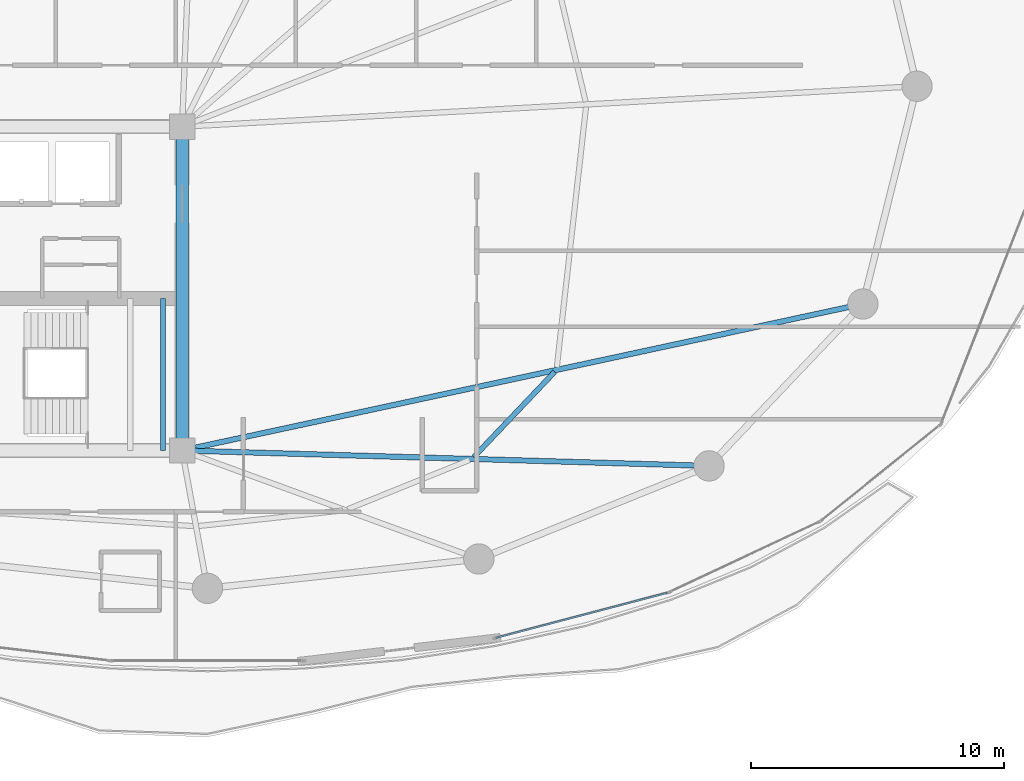
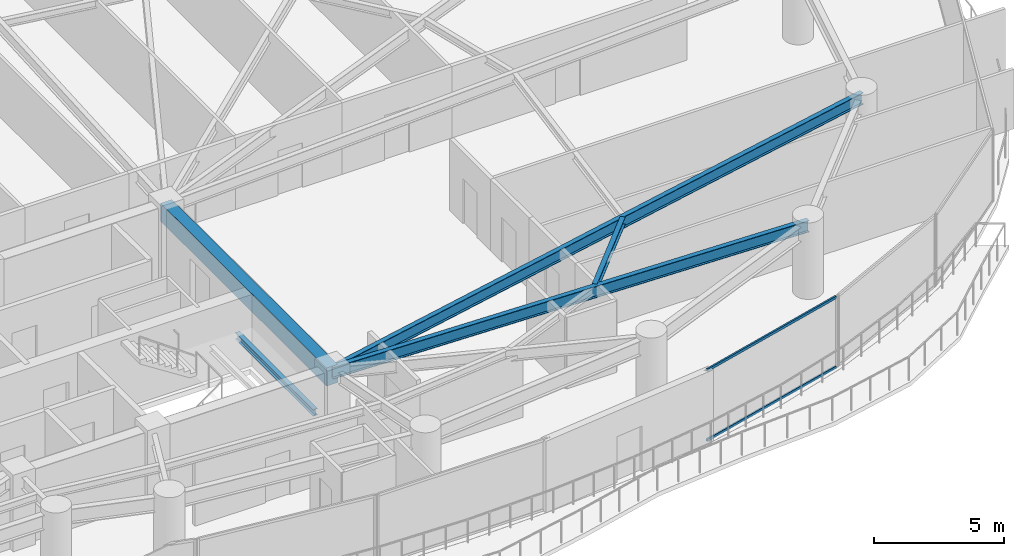
# One storey, part 13 of 34: 5 beams, 2 members, 1 element without a shape of its own.
"""IFC4 building model written with IfcOpenShell, lengths in metres."""

from ifc_helpers import new_model, si_unit, direction, frame, origin, origin_2d, place, context, subcontext, project, spatial, rectangle, hollow_rectangle, i_section, extrude, material, layer, layer_set, material_profile, profile_set, type_object, element, aggregate, save


model = new_model("IFC4")

# Units and contexts
model_context = context("Model", 3, precision=1e-05, world=origin(), true_north=direction((0.0, 1.0)))
body_context = subcontext(model_context, "Body", "Model", "MODEL_VIEW")
ifc_project = project(units=[si_unit("LENGTHUNIT", "METRE"), si_unit("AREAUNIT", "SQUARE_METRE"), si_unit("VOLUMEUNIT", "CUBIC_METRE"), si_unit("PLANEANGLEUNIT", "RADIAN"), si_unit("MASSUNIT", "GRAM", prefix="KILO")], contexts=[model_context])

# Site, building, storey
site_placement = place(None, origin())
site = spatial("IfcSite", under=ifc_project, at=site_placement, CompositionType="ELEMENT")
building_placement = place(site_placement, origin())
building = spatial("IfcBuilding", under=site, at=building_placement, Name="Kazevale Care Tower and Concert Hall", CompositionType="ELEMENT")
storey_placement = place(building_placement, frame((0.0, 0.0, 174.60009765625)))
storey = spatial("IfcBuildingStorey", under=building, at=storey_placement, Name="L46", CompositionType="ELEMENT", Elevation=174.60009765625)

# Curtain wall, members
ifc_material_1 = material(Name="Aluminium 6063-T6 and Low-E Glass", Category="aluminium")
ifc_layer = layer(ifc_material_1, 0.179931640625)
ifc_layer_set = layer_set([ifc_layer], Name="Aluminium 6063-T6 and Low-E Glass")
curtain_wall_type = type_object("IfcCurtainWallType", Name="Sheltered Concave Balcony Curtain Wall CW-5", PredefinedType="NOTDEFINED", material=ifc_layer_set)
curtain_wall_placement = place(storey_placement, origin())
curtain_wall = element("IfcCurtainWall", 1, at=curtain_wall_placement, inside=storey, type_object=curtain_wall_type, Name="cw:L46:f04", PredefinedType="NOTDEFINED")
ifc_material_2 = material(Name="Aluminium 6063-T6", Category="aluminium")
ifc_material_profile_1 = material_profile(ifc_material_2, hollow_rectangle(XDim=0.074951171875, YDim=0.1201171875, WallThickness=0.00390625, at=origin_2d()), Name="ALU75x120x4")
ifc_profile_set_1 = profile_set([ifc_material_profile_1], Name="Aluminium 6063-T6")
member_type = type_object("IfcMemberType", Name="CW-5 Transom ALU75x120x4", PredefinedType="USERDEFINED", material=ifc_profile_set_1)
member_1_placement = place(storey_placement, frame((63.16845703125, 17.971923828125, 0.037353515625), z_axis=(-0.967142752699, -0.254233939321, 0.0), x_axis=(0.254233939321, -0.967142752699, 0.0)))
member_1 = element("IfcMember", 2, at=member_1_placement, type_object=member_type, Name="CW-5 transom 1.1", ObjectType="TRANSOM", PredefinedType="USERDEFINED", context=body_context, shape_type="SweptSolid", body=[
    extrude(hollow_rectangle(XDim=0.074951171875, YDim=0.1201171875, WallThickness=0.00390625, at=origin_2d()), origin(), (0.0, 0.0, 1.0), 6.996826171875),
])
member_2_placement = place(storey_placement, frame((63.16845703125, 17.971923828125, 3.322509765625), z_axis=(-0.967142752699, -0.254233939321, 0.0), x_axis=(0.254233939321, -0.967142752699, 0.0)))
member_2 = element("IfcMember", 3, at=member_2_placement, type_object=member_type, Name="CW-5 transom 1.2", ObjectType="TRANSOM", PredefinedType="USERDEFINED", context=body_context, shape_type="SweptSolid", body=[
    extrude(hollow_rectangle(XDim=0.074951171875, YDim=0.1201171875, WallThickness=0.00390625, at=origin_2d()), origin(), (0.0, 0.0, 1.0), 6.996826171875),
])
aggregate(curtain_wall, [member_1, member_2])

# Beams
ifc_material_3 = material(Name="Concrete C60", Category="concrete")
ifc_material_profile_2 = material_profile(ifc_material_3, rectangle(XDim=0.5, YDim=0.85009765625, at=origin_2d()), Name="RC-B500x850")
ifc_profile_set_2 = profile_set([ifc_material_profile_2], Name="Concrete C60")
beam_type_1 = type_object("IfcBeamType", Name="Core Coupling Beam RC500x850", PredefinedType="LINTEL", material=ifc_profile_set_2)
beam_1_placement = place(storey_placement, frame((44.0, 23.60009765625, 2.934814453125), z_axis=(0.0, 1.0, 0.0), x_axis=(-1.0, 0.0, 0.0)))
element("IfcBeam", 4, at=beam_1_placement, inside=storey, type_object=beam_type_1, Name="beam:L46:coretie:4", PredefinedType="LINTEL", context=body_context, shape_type="SweptSolid", body=[
    extrude(rectangle(XDim=0.5, YDim=0.85009765625, at=origin_2d()), origin(), (0.0, 0.0, 1.0), 12.7998046875),
])
ifc_material_4 = material(Name="Steel ASTM A572 Gr 50", Category="steel")
ifc_material_profile_3 = material_profile(ifc_material_4, i_section(OverallWidth=0.2119140625, OverallDepth=0.5439453125, WebThickness=0.01318359375, FlangeThickness=0.021240234375, at=origin_2d()), Name="W530x123")
ifc_profile_set_3 = profile_set([ifc_material_profile_3], Name="Steel ASTM A572 Gr 50")
beam_type_2 = type_object("IfcBeamType", Name="Radial Floor Girder W530x123", PredefinedType="BEAM", material=ifc_profile_set_3)
beam_2_placement = place(storey_placement, frame((44.0, 23.60009765625, 3.087890625), z_axis=(0.99957133157, -0.029277177187, 0.0), x_axis=(0.029277177187, 0.99957133157, 0.0)))
element("IfcBeam", 5, at=beam_2_placement, inside=storey, type_object=beam_type_2, Name="beam:L46:rad:15", PredefinedType="BEAM", context=body_context, shape_type="SweptSolid", body=[
    extrude(i_section(OverallWidth=0.2119140625, OverallDepth=0.5439453125, WebThickness=0.01318359375, FlangeThickness=0.021240234375, at=origin_2d()), origin(), (0.0, 0.0, 1.0), 20.839111328125),
])
beam_3_placement = place(storey_placement, frame((44.0, 23.60009765625, 3.087890625), z_axis=(0.97762801725, 0.210341293823, 0.0), x_axis=(-0.210341293823, 0.97762801725, 0.0)))
element("IfcBeam", 6, at=beam_3_placement, inside=storey, type_object=beam_type_2, Name="beam:L46:rad:16", PredefinedType="BEAM", context=body_context, shape_type="SweptSolid", body=[
    extrude(i_section(OverallWidth=0.2119140625, OverallDepth=0.5439453125, WebThickness=0.01318359375, FlangeThickness=0.021240234375, at=origin_2d()), origin(), (0.0, 0.0, 1.0), 27.525634765625),
])
ifc_material_profile_4 = material_profile(ifc_material_4, i_section(OverallWidth=0.205078125, OverallDepth=0.35400390625, WebThickness=0.009521484375, FlangeThickness=0.016845703125, at=origin_2d()), Name="W360x79")
ifc_profile_set_4 = profile_set([ifc_material_profile_4], Name="Steel ASTM A572 Gr 50")
beam_type_3 = type_object("IfcBeamType", Name="Secondary Floor Joist W360x79", PredefinedType="JOIST", material=ifc_profile_set_4)
beam_4_placement = place(storey_placement, frame((55.529052734375, 23.341064453125, 3.182861328125), z_axis=(0.688792288395, 0.724958746032, 0.0), x_axis=(-0.724958746032, 0.688792288395, 0.0)))
element("IfcBeam", 7, at=beam_4_placement, inside=storey, type_object=beam_type_3, Name="beam:L46:joist:15", PredefinedType="JOIST", context=body_context, shape_type="SweptSolid", body=[
    extrude(i_section(OverallWidth=0.205078125, OverallDepth=0.35400390625, WebThickness=0.009521484375, FlangeThickness=0.016845703125, at=origin_2d()), origin(), (0.0, 0.0, 1.0), 4.644287109375),
])
ifc_material_profile_5 = material_profile(ifc_material_4, i_section(OverallWidth=0.202880859375, OverallDepth=0.302978515625, WebThickness=0.007568359375, FlangeThickness=0.01318359375, at=origin_2d()), Name="W310x60")
ifc_profile_set_5 = profile_set([ifc_material_profile_5], Name="Steel ASTM A572 Gr 50")
beam_type_4 = type_object("IfcBeamType", Name="Stair & Balcony Trimmer W310x60", PredefinedType="BEAM", material=ifc_profile_set_5)
beam_5_placement = place(storey_placement, frame((43.25, 23.60009765625, 1.448486328125), z_axis=(0.0, 1.0, 0.0), x_axis=(-1.0, 0.0, 0.0)))
element("IfcBeam", 8, at=beam_5_placement, inside=storey, type_object=beam_type_4, Name="beam:L46:sttrim:ST2b", PredefinedType="BEAM", context=body_context, shape_type="SweptSolid", body=[
    extrude(i_section(OverallWidth=0.202880859375, OverallDepth=0.302978515625, WebThickness=0.007568359375, FlangeThickness=0.01318359375, at=origin_2d()), origin(), (0.0, 0.0, 1.0), 6.0),
])

save(model, "model.ifc")
